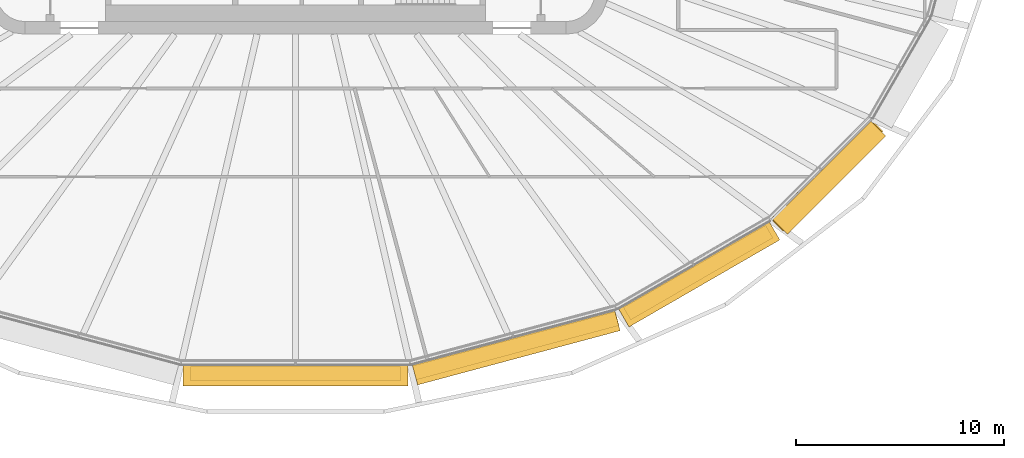
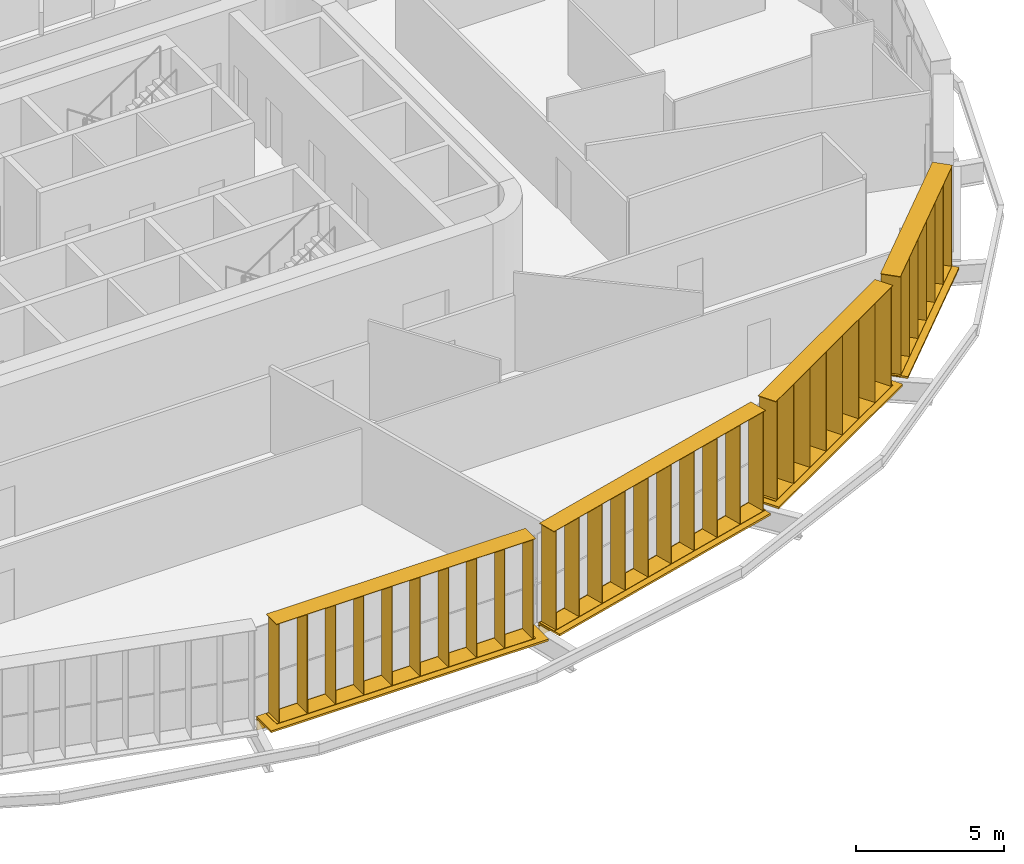
# One storey, part 21 of 24: 8 shading devices.
"""IFC4 building model written with IfcOpenShell, lengths in metres."""

from ifc_helpers import new_model, si_unit, direction, frame, origin, origin_2d, place, context, subcontext, project, spatial, rectangle, extrude, material, type_object, element, save


model = new_model("IFC4")

# Units and contexts
model_context = context("Model", 3, precision=1e-05, world=origin(), true_north=direction((0.0, 1.0)))
body_context = subcontext(model_context, "Body", "Model", "MODEL_VIEW")
ifc_project = project(units=[si_unit("LENGTHUNIT", "METRE"), si_unit("AREAUNIT", "SQUARE_METRE"), si_unit("VOLUMEUNIT", "CUBIC_METRE"), si_unit("PLANEANGLEUNIT", "RADIAN"), si_unit("MASSUNIT", "GRAM", prefix="KILO")], contexts=[model_context])

# Site, building, storey
site_placement = place(None, origin())
site = spatial("IfcSite", under=ifc_project, at=site_placement, CompositionType="ELEMENT")
building_placement = place(site_placement, origin())
building = spatial("IfcBuilding", under=site, at=building_placement, Name="Sahrelin Media Tower", CompositionType="ELEMENT")
storey_placement = place(building_placement, frame((0.0, 0.0, 123.0)))
storey = spatial("IfcBuildingStorey", under=building, at=storey_placement, Name="L24", CompositionType="ELEMENT", Elevation=123.0)

# Shading devices
ifc_material = material(Name="Champagne anodised aluminium 6063-T6", Category="aluminium")
shading_device_type_1 = type_object("IfcShadingDeviceType", Name="Fin cassette", PredefinedType="USERDEFINED", material=ifc_material)
placement_1 = place(storey_placement, frame((0.0, -23.898681640625, 0.0), z_axis=(0.0, 0.0, 1.0), x_axis=(-1.0, 0.0, 0.0)))
element("IfcShadingDevice", 1, at=placement_1, inside=storey, type_object=shading_device_type_1, Name="L24:FIN:L24-18", ObjectType="FIN", PredefinedType="USERDEFINED", context=body_context, shape_type="SweptSolid", body=[
    extrude(rectangle(XDim=10.10009765625, YDim=0.699951171875, at=origin_2d()), frame((0.0, 0.419921875, 0.0)), (0.0, 0.0, 1.0), 0.02001953125),
    extrude(rectangle(XDim=10.10009765625, YDim=0.699951171875, at=origin_2d()), frame((0.0, 0.419921875, 4.10009765625)), (0.0, 0.0, 1.0), 0.02001953125),
    extrude(rectangle(XDim=0.02001953125, YDim=0.699951171875, at=origin_2d()), frame((-4.949951171875, 0.419921875, 0.010009765625), z_axis=(0.0, 0.0, 1.0), x_axis=(1.0, 0.0, 0.0)), (0.0, 0.0, 1.0), 4.10009765625),
    extrude(rectangle(XDim=0.02001953125, YDim=0.699951171875, at=origin_2d()), frame((-3.85009765625, 0.419921875, 0.010009765625), z_axis=(0.0, 0.0, 1.0), x_axis=(1.0, 0.0, 0.0)), (0.0, 0.0, 1.0), 4.10009765625),
    extrude(rectangle(XDim=0.02001953125, YDim=0.699951171875, at=origin_2d()), frame((-2.75, 0.419921875, 0.010009765625), z_axis=(0.0, 0.0, 1.0), x_axis=(1.0, 0.0, 0.0)), (0.0, 0.0, 1.0), 4.10009765625),
    extrude(rectangle(XDim=0.02001953125, YDim=0.699951171875, at=origin_2d()), frame((-1.64990234375, 0.419921875, 0.010009765625), z_axis=(0.0, 0.0, 1.0), x_axis=(1.0, 0.0, 0.0)), (0.0, 0.0, 1.0), 4.10009765625),
    extrude(rectangle(XDim=0.02001953125, YDim=0.699951171875, at=origin_2d()), frame((-0.550048828125, 0.419921875, 0.010009765625), z_axis=(0.0, 0.0, 1.0), x_axis=(1.0, 0.0, 0.0)), (0.0, 0.0, 1.0), 4.10009765625),
    extrude(rectangle(XDim=0.02001953125, YDim=0.699951171875, at=origin_2d()), frame((0.550048828125, 0.419921875, 0.010009765625), z_axis=(0.0, 0.0, 1.0), x_axis=(1.0, 0.0, 0.0)), (0.0, 0.0, 1.0), 4.10009765625),
    extrude(rectangle(XDim=0.02001953125, YDim=0.699951171875, at=origin_2d()), frame((1.64990234375, 0.419921875, 0.010009765625), z_axis=(0.0, 0.0, 1.0), x_axis=(1.0, 0.0, 0.0)), (0.0, 0.0, 1.0), 4.10009765625),
    extrude(rectangle(XDim=0.02001953125, YDim=0.699951171875, at=origin_2d()), frame((2.75, 0.419921875, 0.010009765625), z_axis=(0.0, 0.0, 1.0), x_axis=(1.0, 0.0, 0.0)), (0.0, 0.0, 1.0), 4.10009765625),
    extrude(rectangle(XDim=0.02001953125, YDim=0.699951171875, at=origin_2d()), frame((3.85009765625, 0.419921875, 0.010009765625), z_axis=(0.0, 0.0, 1.0), x_axis=(1.0, 0.0, 0.0)), (0.0, 0.0, 1.0), 4.10009765625),
    extrude(rectangle(XDim=0.02001953125, YDim=0.699951171875, at=origin_2d()), frame((4.949951171875, 0.419921875, 0.010009765625), z_axis=(0.0, 0.0, 1.0), x_axis=(1.0, 0.0, 0.0)), (0.0, 0.0, 1.0), 4.10009765625),
])
placement_2 = place(storey_placement, frame((10.474365234375, -22.569580078125, 0.0), z_axis=(0.0, 0.0, 1.0), x_axis=(-0.965928857556, -0.258807731996, 0.0)))
element("IfcShadingDevice", 2, at=placement_2, inside=storey, type_object=shading_device_type_1, Name="L24:FIN:L24-19", ObjectType="FIN", PredefinedType="USERDEFINED", context=body_context, shape_type="SweptSolid", body=[
    extrude(rectangle(XDim=10.10009765625, YDim=0.699951171875, at=origin_2d()), frame((0.0, 0.419921875, 0.0)), (0.0, 0.0, 1.0), 0.02001953125),
    extrude(rectangle(XDim=10.10009765625, YDim=0.699951171875, at=origin_2d()), frame((0.0, 0.419921875, 4.10009765625)), (0.0, 0.0, 1.0), 0.02001953125),
    extrude(rectangle(XDim=0.02001953125, YDim=0.699951171875, at=origin_2d()), frame((-4.949951171875, 0.419921875, 0.010009765625), z_axis=(0.0, 0.0, 1.0), x_axis=(1.0, 0.0, 0.0)), (0.0, 0.0, 1.0), 4.10009765625),
    extrude(rectangle(XDim=0.02001953125, YDim=0.699951171875, at=origin_2d()), frame((-3.85009765625, 0.419921875, 0.010009765625), z_axis=(0.0, 0.0, 1.0), x_axis=(1.0, 0.0, 0.0)), (0.0, 0.0, 1.0), 4.10009765625),
    extrude(rectangle(XDim=0.02001953125, YDim=0.699951171875, at=origin_2d()), frame((-2.75, 0.419921875, 0.010009765625), z_axis=(0.0, 0.0, 1.0), x_axis=(1.0, 0.0, 0.0)), (0.0, 0.0, 1.0), 4.10009765625),
    extrude(rectangle(XDim=0.02001953125, YDim=0.699951171875, at=origin_2d()), frame((-1.64990234375, 0.419921875, 0.010009765625), z_axis=(0.0, 0.0, 1.0), x_axis=(1.0, 0.0, 0.0)), (0.0, 0.0, 1.0), 4.10009765625),
    extrude(rectangle(XDim=0.02001953125, YDim=0.699951171875, at=origin_2d()), frame((-0.550048828125, 0.419921875, 0.010009765625), z_axis=(0.0, 0.0, 1.0), x_axis=(1.0, 0.0, 0.0)), (0.0, 0.0, 1.0), 4.10009765625),
    extrude(rectangle(XDim=0.02001953125, YDim=0.699951171875, at=origin_2d()), frame((0.550048828125, 0.419921875, 0.010009765625), z_axis=(0.0, 0.0, 1.0), x_axis=(1.0, 0.0, 0.0)), (0.0, 0.0, 1.0), 4.10009765625),
    extrude(rectangle(XDim=0.02001953125, YDim=0.699951171875, at=origin_2d()), frame((1.64990234375, 0.419921875, 0.010009765625), z_axis=(0.0, 0.0, 1.0), x_axis=(1.0, 0.0, 0.0)), (0.0, 0.0, 1.0), 4.10009765625),
    extrude(rectangle(XDim=0.02001953125, YDim=0.699951171875, at=origin_2d()), frame((2.75, 0.419921875, 0.010009765625), z_axis=(0.0, 0.0, 1.0), x_axis=(1.0, 0.0, 0.0)), (0.0, 0.0, 1.0), 4.10009765625),
    extrude(rectangle(XDim=0.02001953125, YDim=0.699951171875, at=origin_2d()), frame((3.85009765625, 0.419921875, 0.010009765625), z_axis=(0.0, 0.0, 1.0), x_axis=(1.0, 0.0, 0.0)), (0.0, 0.0, 1.0), 4.10009765625),
    extrude(rectangle(XDim=0.02001953125, YDim=0.699951171875, at=origin_2d()), frame((4.949951171875, 0.419921875, 0.010009765625), z_axis=(0.0, 0.0, 1.0), x_axis=(1.0, 0.0, 0.0)), (0.0, 0.0, 1.0), 4.10009765625),
])
placement_3 = place(storey_placement, frame((19.147216796875, -19.09716796875, 0.0), z_axis=(0.0, 0.0, 1.0), x_axis=(-0.866019052629, -0.500011000363, 0.0)))
element("IfcShadingDevice", 3, at=placement_3, inside=storey, type_object=shading_device_type_1, Name="L24:FIN:L24-20", ObjectType="FIN", PredefinedType="USERDEFINED", context=body_context, shape_type="SweptSolid", body=[
    extrude(rectangle(XDim=7.89990234375, YDim=0.699951171875, at=origin_2d()), frame((0.0, 0.419921875, 0.0)), (0.0, 0.0, 1.0), 0.02001953125),
    extrude(rectangle(XDim=7.89990234375, YDim=0.699951171875, at=origin_2d()), frame((0.0, 0.419921875, 4.10009765625)), (0.0, 0.0, 1.0), 0.02001953125),
    extrude(rectangle(XDim=0.02001953125, YDim=0.699951171875, at=origin_2d()), frame((-3.85009765625, 0.419921875, 0.010009765625), z_axis=(0.0, 0.0, 1.0), x_axis=(1.0, 0.0, 0.0)), (0.0, 0.0, 1.0), 4.10009765625),
    extrude(rectangle(XDim=0.02001953125, YDim=0.699951171875, at=origin_2d()), frame((-2.75, 0.419921875, 0.010009765625), z_axis=(0.0, 0.0, 1.0), x_axis=(1.0, 0.0, 0.0)), (0.0, 0.0, 1.0), 4.10009765625),
    extrude(rectangle(XDim=0.02001953125, YDim=0.699951171875, at=origin_2d()), frame((-1.64990234375, 0.419921875, 0.010009765625), z_axis=(0.0, 0.0, 1.0), x_axis=(1.0, 0.0, 0.0)), (0.0, 0.0, 1.0), 4.10009765625),
    extrude(rectangle(XDim=0.02001953125, YDim=0.699951171875, at=origin_2d()), frame((-0.550048828125, 0.419921875, 0.010009765625), z_axis=(0.0, 0.0, 1.0), x_axis=(1.0, 0.0, 0.0)), (0.0, 0.0, 1.0), 4.10009765625),
    extrude(rectangle(XDim=0.02001953125, YDim=0.699951171875, at=origin_2d()), frame((0.550048828125, 0.419921875, 0.010009765625), z_axis=(0.0, 0.0, 1.0), x_axis=(1.0, 0.0, 0.0)), (0.0, 0.0, 1.0), 4.10009765625),
    extrude(rectangle(XDim=0.02001953125, YDim=0.699951171875, at=origin_2d()), frame((1.64990234375, 0.419921875, 0.010009765625), z_axis=(0.0, 0.0, 1.0), x_axis=(1.0, 0.0, 0.0)), (0.0, 0.0, 1.0), 4.10009765625),
    extrude(rectangle(XDim=0.02001953125, YDim=0.699951171875, at=origin_2d()), frame((2.75, 0.419921875, 0.010009765625), z_axis=(0.0, 0.0, 1.0), x_axis=(1.0, 0.0, 0.0)), (0.0, 0.0, 1.0), 4.10009765625),
    extrude(rectangle(XDim=0.02001953125, YDim=0.699951171875, at=origin_2d()), frame((3.85009765625, 0.419921875, 0.010009765625), z_axis=(0.0, 0.0, 1.0), x_axis=(1.0, 0.0, 0.0)), (0.0, 0.0, 1.0), 4.10009765625),
])
placement_4 = place(storey_placement, frame((25.291259765625, -14.52197265625, 0.0), z_axis=(0.0, 0.0, 1.0), x_axis=(-0.707106781187, -0.707106781187, 0.0)))
element("IfcShadingDevice", 4, at=placement_4, inside=storey, type_object=shading_device_type_1, Name="L24:FIN:L24-21", ObjectType="FIN", PredefinedType="USERDEFINED", context=body_context, shape_type="SweptSolid", body=[
    extrude(rectangle(XDim=6.800048828125, YDim=0.699951171875, at=origin_2d()), frame((0.0, 0.419921875, 0.0)), (0.0, 0.0, 1.0), 0.02001953125),
    extrude(rectangle(XDim=6.800048828125, YDim=0.699951171875, at=origin_2d()), frame((0.0, 0.419921875, 4.10009765625)), (0.0, 0.0, 1.0), 0.02001953125),
    extrude(rectangle(XDim=0.02001953125, YDim=0.699951171875, at=origin_2d()), frame((-3.300048828125, 0.419921875, 0.010009765625), z_axis=(0.0, 0.0, 1.0), x_axis=(1.0, 0.0, 0.0)), (0.0, 0.0, 1.0), 4.10009765625),
    extrude(rectangle(XDim=0.02001953125, YDim=0.699951171875, at=origin_2d()), frame((-2.199951171875, 0.419921875, 0.010009765625), z_axis=(0.0, 0.0, 1.0), x_axis=(1.0, 0.0, 0.0)), (0.0, 0.0, 1.0), 4.10009765625),
    extrude(rectangle(XDim=0.02001953125, YDim=0.699951171875, at=origin_2d()), frame((-1.10009765625, 0.419921875, 0.010009765625), z_axis=(0.0, 0.0, 1.0), x_axis=(1.0, 0.0, 0.0)), (0.0, 0.0, 1.0), 4.10009765625),
    extrude(rectangle(XDim=0.02001953125, YDim=0.699951171875, at=origin_2d()), frame((0.0, 0.419921875, 0.010009765625), z_axis=(0.0, 0.0, 1.0), x_axis=(1.0, 0.0, 0.0)), (0.0, 0.0, 1.0), 4.10009765625),
    extrude(rectangle(XDim=0.02001953125, YDim=0.699951171875, at=origin_2d()), frame((1.10009765625, 0.419921875, 0.010009765625), z_axis=(0.0, 0.0, 1.0), x_axis=(1.0, 0.0, 0.0)), (0.0, 0.0, 1.0), 4.10009765625),
    extrude(rectangle(XDim=0.02001953125, YDim=0.699951171875, at=origin_2d()), frame((2.199951171875, 0.419921875, 0.010009765625), z_axis=(0.0, 0.0, 1.0), x_axis=(1.0, 0.0, 0.0)), (0.0, 0.0, 1.0), 4.10009765625),
    extrude(rectangle(XDim=0.02001953125, YDim=0.699951171875, at=origin_2d()), frame((3.300048828125, 0.419921875, 0.010009765625), z_axis=(0.0, 0.0, 1.0), x_axis=(1.0, 0.0, 0.0)), (0.0, 0.0, 1.0), 4.10009765625),
])
shading_device_type_2 = type_object("IfcShadingDeviceType", Name="Sunshade band", PredefinedType="USERDEFINED", material=ifc_material)
element("IfcShadingDevice", 5, at=placement_1, inside=storey, type_object=shading_device_type_2, Name="L24:SUN:L24-18", ObjectType="SUNSHADE", PredefinedType="USERDEFINED", context=body_context, shape_type="SweptSolid", body=[
    extrude(rectangle(XDim=10.827392578125, YDim=0.050048828125, at=origin_2d()), frame((0.0, 0.044921875, -0.55126953125)), (0.0, 0.0, 1.0), 0.471435546875),
    extrude(rectangle(XDim=10.827392578125, YDim=1.0, at=origin_2d()), frame((0.0, 0.52001953125, -0.080078125)), (0.0, 0.0, 1.0), 0.080078125),
    extrude(rectangle(XDim=0.10009765625, YDim=0.074951171875, at=origin_2d()), frame((-5.313720703125, -0.017578125, -0.47021484375)), (0.0, 0.0, 1.0), 0.300048828125),
    extrude(rectangle(XDim=0.10009765625, YDim=0.074951171875, at=origin_2d()), frame((-3.54248046875, -0.017578125, -0.47021484375)), (0.0, 0.0, 1.0), 0.300048828125),
    extrude(rectangle(XDim=0.10009765625, YDim=0.074951171875, at=origin_2d()), frame((-1.771240234375, -0.017578125, -0.47021484375)), (0.0, 0.0, 1.0), 0.300048828125),
    extrude(rectangle(XDim=0.10009765625, YDim=0.074951171875, at=origin_2d()), frame((0.0, -0.017578125, -0.47021484375)), (0.0, 0.0, 1.0), 0.300048828125),
    extrude(rectangle(XDim=0.10009765625, YDim=0.074951171875, at=origin_2d()), frame((1.771240234375, -0.017578125, -0.47021484375)), (0.0, 0.0, 1.0), 0.300048828125),
    extrude(rectangle(XDim=0.10009765625, YDim=0.074951171875, at=origin_2d()), frame((3.54248046875, -0.017578125, -0.47021484375)), (0.0, 0.0, 1.0), 0.300048828125),
    extrude(rectangle(XDim=0.10009765625, YDim=0.074951171875, at=origin_2d()), frame((5.313720703125, -0.017578125, -0.47021484375)), (0.0, 0.0, 1.0), 0.300048828125),
])
element("IfcShadingDevice", 6, at=placement_2, inside=storey, type_object=shading_device_type_2, Name="L24:SUN:L24-19", ObjectType="SUNSHADE", PredefinedType="USERDEFINED", context=body_context, shape_type="SweptSolid", body=[
    extrude(rectangle(XDim=10.071533203125, YDim=0.050048828125, at=origin_2d()), frame((0.0, 0.044921875, -0.55126953125)), (0.0, 0.0, 1.0), 0.471435546875),
    extrude(rectangle(XDim=10.071533203125, YDim=1.0, at=origin_2d()), frame((0.0, 0.52001953125, -0.080078125)), (0.0, 0.0, 1.0), 0.080078125),
    extrude(rectangle(XDim=0.10009765625, YDim=0.074951171875, at=origin_2d()), frame((-4.935791015625, -0.017578125, -0.47021484375)), (0.0, 0.0, 1.0), 0.300048828125),
    extrude(rectangle(XDim=0.10009765625, YDim=0.074951171875, at=origin_2d()), frame((-3.29052734375, -0.017578125, -0.47021484375)), (0.0, 0.0, 1.0), 0.300048828125),
    extrude(rectangle(XDim=0.10009765625, YDim=0.074951171875, at=origin_2d()), frame((-1.645263671875, -0.017578125, -0.47021484375)), (0.0, 0.0, 1.0), 0.300048828125),
    extrude(rectangle(XDim=0.10009765625, YDim=0.074951171875, at=origin_2d()), frame((0.0, -0.017578125, -0.47021484375)), (0.0, 0.0, 1.0), 0.300048828125),
    extrude(rectangle(XDim=0.10009765625, YDim=0.074951171875, at=origin_2d()), frame((1.645263671875, -0.017578125, -0.47021484375)), (0.0, 0.0, 1.0), 0.300048828125),
    extrude(rectangle(XDim=0.10009765625, YDim=0.074951171875, at=origin_2d()), frame((3.29052734375, -0.017578125, -0.47021484375)), (0.0, 0.0, 1.0), 0.300048828125),
    extrude(rectangle(XDim=0.10009765625, YDim=0.074951171875, at=origin_2d()), frame((4.935791015625, -0.017578125, -0.47021484375)), (0.0, 0.0, 1.0), 0.300048828125),
])
element("IfcShadingDevice", 7, at=placement_3, inside=storey, type_object=shading_device_type_2, Name="L24:SUN:L24-20", ObjectType="SUNSHADE", PredefinedType="USERDEFINED", context=body_context, shape_type="SweptSolid", body=[
    extrude(rectangle(XDim=8.37255859375, YDim=0.050048828125, at=origin_2d()), frame((0.0, 0.044921875, -0.55126953125)), (0.0, 0.0, 1.0), 0.471435546875),
    extrude(rectangle(XDim=8.37255859375, YDim=1.0, at=origin_2d()), frame((0.0, 0.52001953125, -0.080078125)), (0.0, 0.0, 1.0), 0.080078125),
    extrude(rectangle(XDim=0.10009765625, YDim=0.074951171875, at=origin_2d()), frame((-4.086181640625, -0.017578125, -0.47021484375)), (0.0, 0.0, 1.0), 0.300048828125),
    extrude(rectangle(XDim=0.10009765625, YDim=0.074951171875, at=origin_2d()), frame((-2.451904296875, -0.017578125, -0.47021484375)), (0.0, 0.0, 1.0), 0.300048828125),
    extrude(rectangle(XDim=0.10009765625, YDim=0.074951171875, at=origin_2d()), frame((-0.8173828125, -0.017578125, -0.47021484375)), (0.0, 0.0, 1.0), 0.300048828125),
    extrude(rectangle(XDim=0.10009765625, YDim=0.074951171875, at=origin_2d()), frame((0.8173828125, -0.017578125, -0.47021484375)), (0.0, 0.0, 1.0), 0.300048828125),
    extrude(rectangle(XDim=0.10009765625, YDim=0.074951171875, at=origin_2d()), frame((2.451904296875, -0.017578125, -0.47021484375)), (0.0, 0.0, 1.0), 0.300048828125),
    extrude(rectangle(XDim=0.10009765625, YDim=0.074951171875, at=origin_2d()), frame((4.086181640625, -0.017578125, -0.47021484375)), (0.0, 0.0, 1.0), 0.300048828125),
])
element("IfcShadingDevice", 8, at=placement_4, inside=storey, type_object=shading_device_type_2, Name="L24:SUN:L24-21", ObjectType="SUNSHADE", PredefinedType="USERDEFINED", context=body_context, shape_type="SweptSolid", body=[
    extrude(rectangle(XDim=6.6787109375, YDim=0.050048828125, at=origin_2d()), frame((0.0, 0.044921875, -0.55126953125)), (0.0, 0.0, 1.0), 0.471435546875),
    extrude(rectangle(XDim=6.6787109375, YDim=1.0, at=origin_2d()), frame((0.0, 0.52001953125, -0.080078125)), (0.0, 0.0, 1.0), 0.080078125),
    extrude(rectangle(XDim=0.10009765625, YDim=0.074951171875, at=origin_2d()), frame((-3.239501953125, -0.017578125, -0.47021484375)), (0.0, 0.0, 1.0), 0.300048828125),
    extrude(rectangle(XDim=0.10009765625, YDim=0.074951171875, at=origin_2d()), frame((-1.61962890625, -0.017578125, -0.47021484375)), (0.0, 0.0, 1.0), 0.300048828125),
    extrude(rectangle(XDim=0.10009765625, YDim=0.074951171875, at=origin_2d()), frame((0.0, -0.017578125, -0.47021484375)), (0.0, 0.0, 1.0), 0.300048828125),
    extrude(rectangle(XDim=0.10009765625, YDim=0.074951171875, at=origin_2d()), frame((1.61962890625, -0.017578125, -0.47021484375)), (0.0, 0.0, 1.0), 0.300048828125),
    extrude(rectangle(XDim=0.10009765625, YDim=0.074951171875, at=origin_2d()), frame((3.239501953125, -0.017578125, -0.47021484375)), (0.0, 0.0, 1.0), 0.300048828125),
])

save(model, "model.ifc")
